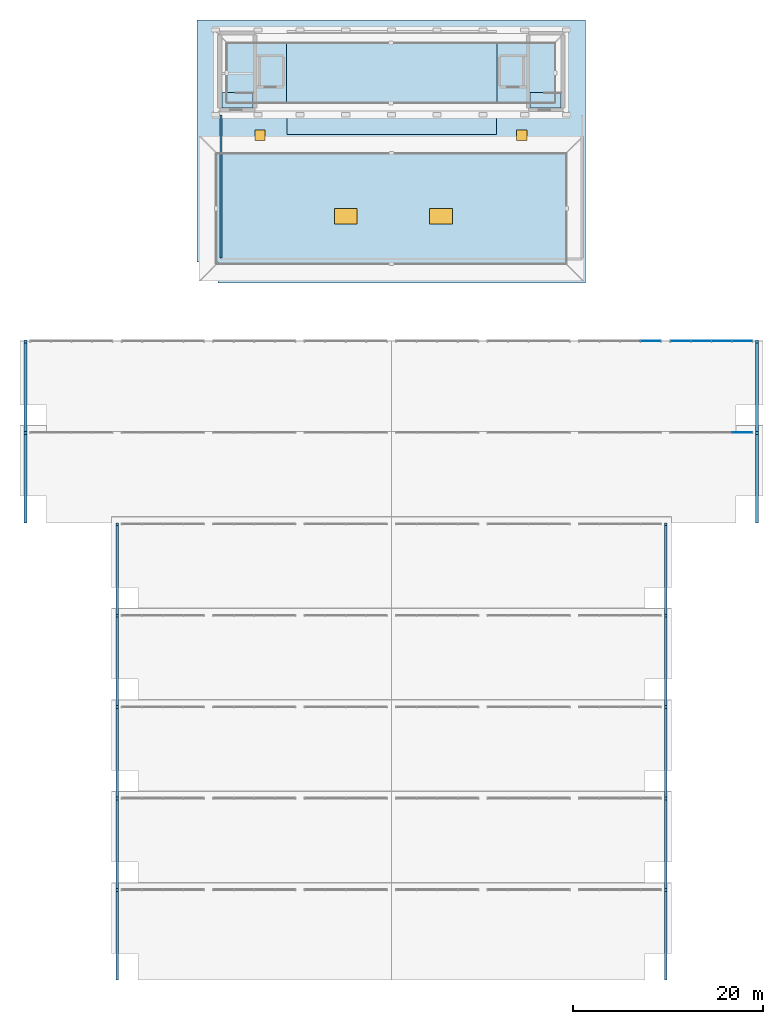
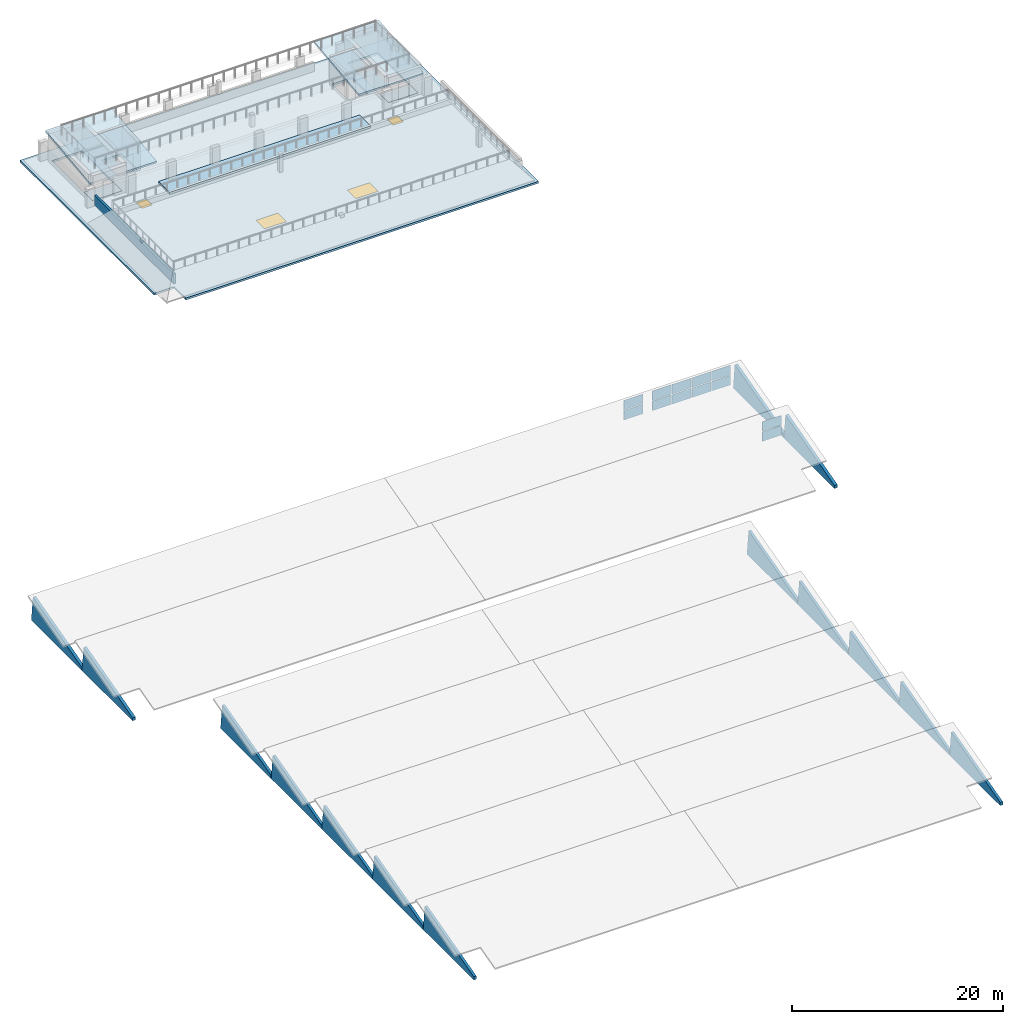
"""IFC4 building model written with IfcOpenShell, lengths in metres."""

from ifc_helpers import new_model, si_unit, direction, frame, frame_2d, origin, origin_2d, place, context, subcontext, project, spatial, polyline, rectangle, outline, extrude, material, layer, layer_set, type_object, element, fill, aggregate, save


model = new_model("IFC4")

# Units and contexts
model_context = context("Model", 3, precision=1e-05, world=origin(), true_north=direction((0.0, 1.0)))
body_context = subcontext(model_context, "Body", "Model", "MODEL_VIEW")
ifc_project = project(units=[si_unit("LENGTHUNIT", "METRE"), si_unit("AREAUNIT", "SQUARE_METRE"), si_unit("VOLUMEUNIT", "CUBIC_METRE"), si_unit("PLANEANGLEUNIT", "RADIAN"), si_unit("MASSUNIT", "GRAM", prefix="KILO")], contexts=[model_context])

# Site, building, storey
site_placement = place(None, origin())
site = spatial("IfcSite", under=ifc_project, at=site_placement, CompositionType="ELEMENT")
building_placement = place(site_placement, origin())
building = spatial("IfcBuilding", under=site, at=building_placement, Name="Bempovik Park Faculty of Sciences", CompositionType="ELEMENT")
storey_1_placement = place(building_placement, frame((0.0, 0.0, 50.10009765625)))
storey_1 = spatial("IfcBuildingStorey", under=building, at=storey_1_placement, Name="Roof", CompositionType="ELEMENT", Elevation=50.10009765625)

# Curtain wall, plates
ifc_material_1 = material(Name="Tempered laminated low-E glass", Category="glass")
ifc_layer_1 = layer(ifc_material_1, 0.159912109375)
ifc_layer_set_1 = layer_set([ifc_layer_1], Name="Tempered laminated low-E glass")
curtain_wall_type_1 = type_object("IfcCurtainWallType", Name="CW-29 Curtain 6400x2550", PredefinedType="USERDEFINED", material=ifc_layer_set_1)
curtain_wall_1_placement = place(storey_1_placement, origin())
curtain_wall_1 = element("IfcCurtainWall", 1, at=curtain_wall_1_placement, inside=storey_1, type_object=curtain_wall_type_1, Name="V2 Atrium Sawtooth North-Light Clerestory Bay 1 (117.6-127.2)", ObjectType="NORTH LIGHT CLERESTORY", PredefinedType="USERDEFINED")
ifc_layer_2 = layer(ifc_material_1, 0.031982421875)
ifc_layer_set_2 = layer_set([ifc_layer_2], Name="Tempered laminated low-E glass")
plate_type = type_object("IfcPlateType", Name="CP-23 Curtain Panel 32mm", PredefinedType="CURTAIN_PANEL", material=ifc_layer_set_2)
plate_1_placement = place(storey_1_placement, frame((125.639892578125, 77.280029296875, -25.93017578125), z_axis=(0.0, 0.0, 1.0), x_axis=(1.0, 0.0, 0.0)))
plate_1 = element("IfcPlate", 2, at=plate_1_placement, type_object=plate_type, Name="CW-NL-V2-B1-1176 Panel 3-0", PredefinedType="CURTAIN_PANEL", context=body_context, shape_type="SweptSolid", body=[
    extrude(rectangle(XDim=2.080078125, YDim=0.035888671875, at=origin_2d()), origin(), (0.0, 0.0, 1.0), 1.09619140625),
])
plate_2_placement = place(storey_1_placement, frame((125.639892578125, 77.280029296875, -24.75390625), z_axis=(0.0, 0.0, 1.0), x_axis=(1.0, 0.0, 0.0)))
plate_2 = element("IfcPlate", 3, at=plate_2_placement, type_object=plate_type, Name="CW-NL-V2-B1-1176 Panel 3-1", PredefinedType="CURTAIN_PANEL", context=body_context, shape_type="SweptSolid", body=[
    extrude(rectangle(XDim=2.080078125, YDim=0.035888671875, at=origin_2d()), origin(), (0.0, 0.0, 1.0), 1.09619140625),
])
aggregate(curtain_wall_1, [plate_1, plate_2])

ifc_layer_3 = layer(ifc_material_1, 0.159912109375)
ifc_layer_set_3 = layer_set([ifc_layer_3], Name="Tempered laminated low-E glass")
curtain_wall_type_2 = type_object("IfcCurtainWallType", Name="CW-15 Curtain 8000x2550", PredefinedType="USERDEFINED", material=ifc_layer_set_3)
curtain_wall_2_placement = place(storey_1_placement, origin())
curtain_wall_2 = element("IfcCurtainWall", 4, at=curtain_wall_2_placement, inside=storey_1, type_object=curtain_wall_type_2, Name="V2 Atrium Sawtooth North-Light Clerestory Bay 2 (108.0-117.6)", ObjectType="NORTH LIGHT CLERESTORY", PredefinedType="USERDEFINED")
plate_3_placement = place(storey_1_placement, frame((116.0400390625, 86.8798828125, -25.93017578125), z_axis=(0.0, 0.0, 1.0), x_axis=(1.0, 0.0, 0.0)))
plate_3 = element("IfcPlate", 5, at=plate_3_placement, type_object=plate_type, Name="CW-NL-V2-B2-1080 Panel 3-0", PredefinedType="CURTAIN_PANEL", context=body_context, shape_type="SweptSolid", body=[
    extrude(rectangle(XDim=2.080078125, YDim=0.035888671875, at=origin_2d()), origin(), (0.0, 0.0, 1.0), 1.09619140625),
])
plate_4_placement = place(storey_1_placement, frame((116.0400390625, 86.8798828125, -24.75390625), z_axis=(0.0, 0.0, 1.0), x_axis=(1.0, 0.0, 0.0)))
plate_4 = element("IfcPlate", 6, at=plate_4_placement, type_object=plate_type, Name="CW-NL-V2-B2-1080 Panel 3-1", PredefinedType="CURTAIN_PANEL", context=body_context, shape_type="SweptSolid", body=[
    extrude(rectangle(XDim=2.080078125, YDim=0.035888671875, at=origin_2d()), origin(), (0.0, 0.0, 1.0), 1.09619140625),
])
aggregate(curtain_wall_2, [plate_3, plate_4])

curtain_wall_3_placement = place(storey_1_placement, origin())
curtain_wall_3 = element("IfcCurtainWall", 7, at=curtain_wall_3_placement, inside=storey_1, type_object=curtain_wall_type_1, Name="V2 Atrium Sawtooth North-Light Clerestory Bay 2 (117.6-127.2)", ObjectType="NORTH LIGHT CLERESTORY", PredefinedType="USERDEFINED")
plate_5_placement = place(storey_1_placement, frame((119.159912109375, 86.8798828125, -25.93017578125), z_axis=(0.0, 0.0, 1.0), x_axis=(1.0, 0.0, 0.0)))
plate_5 = element("IfcPlate", 8, at=plate_5_placement, type_object=plate_type, Name="CW-NL-V2-B2-1176 Panel 0-0", PredefinedType="CURTAIN_PANEL", context=body_context, shape_type="SweptSolid", body=[
    extrude(rectangle(XDim=2.080078125, YDim=0.035888671875, at=origin_2d()), origin(), (0.0, 0.0, 1.0), 1.09619140625),
])
plate_6_placement = place(storey_1_placement, frame((119.159912109375, 86.8798828125, -24.75390625), z_axis=(0.0, 0.0, 1.0), x_axis=(1.0, 0.0, 0.0)))
plate_6 = element("IfcPlate", 9, at=plate_6_placement, type_object=plate_type, Name="CW-NL-V2-B2-1176 Panel 0-1", PredefinedType="CURTAIN_PANEL", context=body_context, shape_type="SweptSolid", body=[
    extrude(rectangle(XDim=2.080078125, YDim=0.035888671875, at=origin_2d()), origin(), (0.0, 0.0, 1.0), 1.09619140625),
])
plate_7_placement = place(storey_1_placement, frame((121.320068359375, 86.8798828125, -25.93017578125), z_axis=(0.0, 0.0, 1.0), x_axis=(1.0, 0.0, 0.0)))
plate_7 = element("IfcPlate", 10, at=plate_7_placement, type_object=plate_type, Name="CW-NL-V2-B2-1176 Panel 1-0", PredefinedType="CURTAIN_PANEL", context=body_context, shape_type="SweptSolid", body=[
    extrude(rectangle(XDim=2.080078125, YDim=0.035888671875, at=origin_2d()), origin(), (0.0, 0.0, 1.0), 1.09619140625),
])
plate_8_placement = place(storey_1_placement, frame((121.320068359375, 86.8798828125, -24.75390625), z_axis=(0.0, 0.0, 1.0), x_axis=(1.0, 0.0, 0.0)))
plate_8 = element("IfcPlate", 11, at=plate_8_placement, type_object=plate_type, Name="CW-NL-V2-B2-1176 Panel 1-1", PredefinedType="CURTAIN_PANEL", context=body_context, shape_type="SweptSolid", body=[
    extrude(rectangle(XDim=2.080078125, YDim=0.035888671875, at=origin_2d()), origin(), (0.0, 0.0, 1.0), 1.09619140625),
])
plate_9_placement = place(storey_1_placement, frame((123.47998046875, 86.8798828125, -25.93017578125), z_axis=(0.0, 0.0, 1.0), x_axis=(1.0, 0.0, 0.0)))
plate_9 = element("IfcPlate", 12, at=plate_9_placement, type_object=plate_type, Name="CW-NL-V2-B2-1176 Panel 2-0", PredefinedType="CURTAIN_PANEL", context=body_context, shape_type="SweptSolid", body=[
    extrude(rectangle(XDim=2.080078125, YDim=0.035888671875, at=origin_2d()), origin(), (0.0, 0.0, 1.0), 1.09619140625),
])
plate_10_placement = place(storey_1_placement, frame((123.47998046875, 86.8798828125, -24.75390625), z_axis=(0.0, 0.0, 1.0), x_axis=(1.0, 0.0, 0.0)))
plate_10 = element("IfcPlate", 13, at=plate_10_placement, type_object=plate_type, Name="CW-NL-V2-B2-1176 Panel 2-1", PredefinedType="CURTAIN_PANEL", context=body_context, shape_type="SweptSolid", body=[
    extrude(rectangle(XDim=2.080078125, YDim=0.035888671875, at=origin_2d()), origin(), (0.0, 0.0, 1.0), 1.09619140625),
])
plate_11_placement = place(storey_1_placement, frame((125.639892578125, 86.8798828125, -25.93017578125), z_axis=(0.0, 0.0, 1.0), x_axis=(1.0, 0.0, 0.0)))
plate_11 = element("IfcPlate", 14, at=plate_11_placement, type_object=plate_type, Name="CW-NL-V2-B2-1176 Panel 3-0", PredefinedType="CURTAIN_PANEL", context=body_context, shape_type="SweptSolid", body=[
    extrude(rectangle(XDim=2.080078125, YDim=0.035888671875, at=origin_2d()), origin(), (0.0, 0.0, 1.0), 1.09619140625),
])
plate_12_placement = place(storey_1_placement, frame((125.639892578125, 86.8798828125, -24.75390625), z_axis=(0.0, 0.0, 1.0), x_axis=(1.0, 0.0, 0.0)))
plate_12 = element("IfcPlate", 15, at=plate_12_placement, type_object=plate_type, Name="CW-NL-V2-B2-1176 Panel 3-1", PredefinedType="CURTAIN_PANEL", context=body_context, shape_type="SweptSolid", body=[
    extrude(rectangle(XDim=2.080078125, YDim=0.035888671875, at=origin_2d()), origin(), (0.0, 0.0, 1.0), 1.09619140625),
])
aggregate(curtain_wall_3, [plate_5, plate_6, plate_7, plate_8, plate_9, plate_10, plate_11, plate_12])

# Slab
ifc_material_2 = material(Name="Concrete C35/45", Category="concrete")
ifc_layer_4 = layer(ifc_material_2, 0.239990234375)
ifc_layer_set_4 = layer_set([ifc_layer_4], Name="Concrete C35/45")
slab_type_1 = type_object("IfcSlabType", Name="S-27 Slab 240mm", PredefinedType="FLOOR", material=ifc_layer_set_4)
slab_1_placement = place(storey_1_placement, origin())
element("IfcSlab", 16, at=slab_1_placement, inside=storey_1, type_object=slab_type_1, Name="Roof Belvedere Access Open Deck Slab", PredefinedType="FLOOR", context=body_context, shape_type="SweptSolid", body=[
    extrude(outline(polyline([(77.85009765625, 108.60009765625), (99.85009765625, 108.60009765625), (99.85009765625, 110.699951171875), (77.85009765625, 110.699951171875), (77.85009765625, 108.60009765625)])), origin(), (0.0, 0.0, 1.0), 0.239990234375),
])

# Slab, openings, doors
ifc_layer_5 = layer(ifc_material_2, 0.219970703125)
ifc_layer_set_5 = layer_set([ifc_layer_5], Name="Concrete C35/45")
slab_type_2 = type_object("IfcSlabType", Name="S-38 Slab 220mm", PredefinedType="ROOF", material=ifc_layer_set_5)
slab_2_placement = place(storey_1_placement, frame((0.0, 0.0, -0.22021484375)))
slab_2 = element("IfcSlab", 17, at=slab_2_placement, inside=storey_1, type_object=slab_type_2, Name="Flat Concrete Roof Slab RF-V5-CROWN", PredefinedType="ROOF", context=body_context, shape_type="SweptSolid", body=[
    extrude(outline(polyline([(70.60009765625, 93.0), (109.199951171875, 93.0), (109.199951171875, 120.60009765625), (68.39990234375, 120.60009765625), (68.39990234375, 95.199951171875), (70.60009765625, 95.199951171875), (70.60009765625, 93.0)]), holes=[polyline([(71.0, 111.375), (74.25, 111.375), (74.25, 119.0), (71.0, 119.0), (71.0, 111.375)]), polyline([(103.375, 111.375), (106.625, 111.375), (106.625, 119.0), (103.375, 119.0), (103.375, 111.375)]), polyline([(75.10009765625, 113.699951171875), (77.300048828125, 113.699951171875), (77.300048828125, 116.699951171875), (75.10009765625, 116.699951171875), (75.10009765625, 113.699951171875)]), polyline([(100.300048828125, 113.699951171875), (102.5, 113.699951171875), (102.5, 116.699951171875), (100.300048828125, 116.699951171875), (100.300048828125, 113.699951171875)]), polyline([(74.489990234375, 107.989990234375), (75.510009765625, 107.989990234375), (75.510009765625, 109.010009765625), (74.489990234375, 109.010009765625), (74.489990234375, 107.989990234375)]), polyline([(101.989990234375, 107.989990234375), (103.010009765625, 107.989990234375), (103.010009765625, 109.010009765625), (101.989990234375, 109.010009765625), (101.989990234375, 107.989990234375)])]), origin(), (0.0, 0.0, 1.0), 0.22021484375),
])
opening_1_placement = place(slab_2_placement, frame((84.0, 100.0, -0.010009765625)))
opening_1 = element("IfcOpeningElement", 18, at=opening_1_placement, cuts=slab_2, Name="Opening WN-29", PredefinedType="OPENING", context=body_context, shape_type="SweptSolid", body=[
    extrude(rectangle(XDim=2.39990234375, YDim=1.60009765625, at=origin_2d()), origin(), (0.0, 0.0, 1.0), 0.240234375),
])
opening_2_placement = place(slab_2_placement, frame((94.0, 100.0, -0.010009765625)))
opening_2 = element("IfcOpeningElement", 19, at=opening_2_placement, cuts=slab_2, Name="Opening WN-29", PredefinedType="OPENING", context=body_context, shape_type="SweptSolid", body=[
    extrude(rectangle(XDim=2.39990234375, YDim=1.60009765625, at=origin_2d()), origin(), (0.0, 0.0, 1.0), 0.240234375),
])
opening_3_placement = place(slab_2_placement, frame((75.0, 108.5, -0.010009765625)))
opening_3 = element("IfcOpeningElement", 20, at=opening_3_placement, cuts=slab_2, Name="Opening RH-01", PredefinedType="OPENING", context=body_context, shape_type="SweptSolid", body=[
    extrude(rectangle(XDim=1.10009765625, YDim=1.10009765625, at=origin_2d()), origin(), (0.0, 0.0, 1.0), 0.240234375),
])
opening_4_placement = place(slab_2_placement, frame((102.5, 108.5, -0.010009765625)))
opening_4 = element("IfcOpeningElement", 21, at=opening_4_placement, cuts=slab_2, Name="Opening RH-01", PredefinedType="OPENING", context=body_context, shape_type="SweptSolid", body=[
    extrude(rectangle(XDim=1.10009765625, YDim=1.10009765625, at=origin_2d()), origin(), (0.0, 0.0, 1.0), 0.240234375),
])
ifc_material_3 = material(Name="Anodised aluminium", Category="aluminium")
door_type = type_object("IfcDoorType", Name="RH-01 Trapdoor 1100x1100", OperationType="NOTDEFINED", PredefinedType="TRAPDOOR", material=ifc_material_3)
door_1_placement = place(slab_2_placement, frame((75.0, 108.5, 0.170166015625)))
door_1 = element("IfcDoor", 22, at=door_1_placement, inside=storey_1, type_object=door_type, Name="Roof Maintenance Access Hatch RH-V5-01", OperationType="SWING_FIXED_LEFT", OverallHeight=1.10009765625, OverallWidth=1.10009765625, PredefinedType="TRAPDOOR", context=body_context, shape_type="SweptSolid", body=[
    extrude(rectangle(XDim=1.10009765625, YDim=1.10009765625, at=origin_2d()), origin(), (0.0, 0.0, 1.0), 0.050048828125),
])
fill(opening_3, door_1)
door_2_placement = place(slab_2_placement, frame((102.5, 108.5, 0.170166015625)))
door_2 = element("IfcDoor", 23, at=door_2_placement, inside=storey_1, type_object=door_type, Name="Roof Maintenance Access Hatch RH-V5-02", OperationType="SWING_FIXED_LEFT", OverallHeight=1.10009765625, OverallWidth=1.10009765625, PredefinedType="TRAPDOOR", context=body_context, shape_type="SweptSolid", body=[
    extrude(rectangle(XDim=1.10009765625, YDim=1.10009765625, at=origin_2d()), origin(), (0.0, 0.0, 1.0), 0.050048828125),
])
fill(opening_4, door_2)

# Storey
storey_2_placement = place(building_placement, frame((0.0, 0.0, 46.199951171875)))
storey_2 = spatial("IfcBuildingStorey", under=building, at=storey_2_placement, Name="L11", CompositionType="ELEMENT", Elevation=46.199951171875)

# Window
window_type = type_object("IfcWindowType", Name="WN-29 Skylight 2400x1600", PartitioningType="SINGLE_PANEL", PredefinedType="SKYLIGHT", material=ifc_material_1)
window_1_placement = place(slab_2_placement, frame((84.0, 100.0, 0.170166015625)))
window_1 = element("IfcWindow", 24, at=window_1_placement, inside=storey_2, type_object=window_type, Name="Roof Skylight SKY-V5-1", OverallHeight=1.60009765625, OverallWidth=2.39990234375, PartitioningType="SINGLE_PANEL", PredefinedType="SKYLIGHT", context=body_context, shape_type="SweptSolid", body=[
    extrude(rectangle(XDim=2.39990234375, YDim=1.60009765625, at=origin_2d()), origin(), (0.0, 0.0, 1.0), 0.050048828125),
])

fill(opening_1, window_1)

window_2_placement = place(slab_2_placement, frame((94.0, 100.0, 0.170166015625)))
window_2 = element("IfcWindow", 25, at=window_2_placement, inside=storey_2, type_object=window_type, Name="Roof Skylight SKY-V5-2", OverallHeight=1.60009765625, OverallWidth=2.39990234375, PartitioningType="SINGLE_PANEL", PredefinedType="SKYLIGHT", context=body_context, shape_type="SweptSolid", body=[
    extrude(rectangle(XDim=2.39990234375, YDim=1.60009765625, at=origin_2d()), origin(), (0.0, 0.0, 1.0), 0.050048828125),
])

fill(opening_2, window_2)

# Slabs
slab_3_placement = place(storey_1_placement, frame((70.5, 110.949951171875, 2.43994140625), z_axis=(0.0, -0.114933843057, 0.993373148278), x_axis=(1.0, 0.0, 0.0)))
element("IfcSlab", 26, at=slab_3_placement, inside=storey_1, type_object=slab_type_2, Name="Stair ST-1 Sloped Head-House Roof Slab", PredefinedType="ROOF", context=body_context, shape_type="SweptSolid", body=[
    extrude(outline(polyline([(0.0, 0.0), (7.300048828125, 0.0), (7.300048828125, 8.526474384581665), (0.0, 8.526474384581665), (0.0, 0.0)])), origin(), (0.0, 0.0, -1.0), 0.219970703125),
])
slab_4_placement = place(storey_1_placement, frame((99.89990234375, 110.949951171875, 2.43994140625), z_axis=(0.0, -0.114933843057, 0.993373148278), x_axis=(1.0, 0.0, 0.0)))
element("IfcSlab", 27, at=slab_4_placement, inside=storey_1, type_object=slab_type_2, Name="Stair ST-2 Sloped Head-House Roof Slab", PredefinedType="ROOF", context=body_context, shape_type="SweptSolid", body=[
    extrude(outline(polyline([(0.0, 0.0), (7.10009765625, 0.0), (7.10009765625, 8.526474384581665), (0.0, 8.526474384581665), (0.0, 0.0)])), origin(), (0.0, 0.0, -1.0), 0.219970703125),
])
ifc_layer_6 = layer(ifc_material_2, 0.199951171875)
ifc_layer_set_6 = layer_set([ifc_layer_6], Name="Concrete C35/45")
slab_type_3 = type_object("IfcSlabType", Name="S-41 Slab 200mm", PredefinedType="LANDING", material=ifc_layer_set_6)
slab_5_placement = place(storey_1_placement, frame((0.0, 0.0, -0.22021484375)))
element("IfcSlab", 28, at=slab_5_placement, inside=storey_1, type_object=slab_type_3, Name="Roof ST-1 Floor Landing Slab", PredefinedType="LANDING", context=body_context, shape_type="SweptSolid", body=[
    extrude(outline(polyline([(74.25, 111.375), (74.25, 113.0), (71.0, 113.0), (71.0, 111.375), (74.25, 111.375)])), origin(), (0.0, 0.0, 1.0), 0.22021484375),
])
slab_6_placement = place(storey_1_placement, frame((0.0, 0.0, -0.22021484375)))
element("IfcSlab", 29, at=slab_6_placement, inside=storey_1, type_object=slab_type_3, Name="Roof ST-2 Floor Landing Slab", PredefinedType="LANDING", context=body_context, shape_type="SweptSolid", body=[
    extrude(outline(polyline([(106.625, 111.375), (106.625, 113.0), (103.375, 113.0), (103.375, 111.375), (106.625, 111.375)])), origin(), (0.0, 0.0, 1.0), 0.22021484375),
])

# Walls
ifc_material_4 = material(Name="Precast concrete C40/50", Category="concrete")
ifc_layer_7 = layer(ifc_material_4, 0.280029296875)
ifc_layer_set_7 = layer_set([ifc_layer_7], Name="Precast concrete C40/50")
wall_type_1 = type_object("IfcWallType", Name="W-25 Wall 280mm", PredefinedType="SOLIDWALL", material=ifc_layer_set_7)
for number, where, z_axis, x_axis, name in (
    (30, (60.0, 19.800048828125, -30.72412109375), (0.0, 0.0, 1.0), (0.0, 1.0, 0.0), "V1 Sawtooth Gable Wall B1-W"),
    (31, (117.60009765625, 19.800048828125, -30.72412109375), (0.0, 0.0, 1.0), (0.0, 1.0, 0.0), "V1 Sawtooth Gable Wall B1-E"),
):
    element("IfcWall", number, at=place(storey_1_placement, frame(where, z_axis=z_axis, x_axis=x_axis)), inside=storey_1, type_object=wall_type_1, Name=name, PredefinedType="SOLIDWALL", context=body_context, shape_type="SweptSolid", body=[
        extrude(outline(polyline([(0.0, 0.0), (9.599853515625, 0.0), (9.300048828125, 2.876220703125), (0.0, 0.3740234375), (0.0, 0.0)])), frame((0.0, 0.14013671875, 0.0), z_axis=(0.0, -1.0, 0.0), x_axis=(1.0, 0.0, 0.0)), (0.0, 0.0, 1.0), 0.280029296875),
    ])
for number, where, z_axis, x_axis, name in (
    (32, (60.0, 29.39990234375, -30.72412109375), (0.0, 0.0, 1.0), (0.0, 1.0, 0.0), "V1 Sawtooth Gable Wall B2-W"),
    (33, (117.60009765625, 29.39990234375, -30.72412109375), (0.0, 0.0, 1.0), (0.0, 1.0, 0.0), "V1 Sawtooth Gable Wall B2-E"),
    (34, (60.0, 39.0, -30.72412109375), (0.0, 0.0, 1.0), (0.0, 1.0, 0.0), "V1 Sawtooth Gable Wall B3-W"),
    (35, (117.60009765625, 39.0, -30.72412109375), (0.0, 0.0, 1.0), (0.0, 1.0, 0.0), "V1 Sawtooth Gable Wall B3-E"),
):
    element("IfcWall", number, at=place(storey_1_placement, frame(where, z_axis=z_axis, x_axis=x_axis)), inside=storey_1, type_object=wall_type_1, Name=name, PredefinedType="SOLIDWALL", context=body_context, shape_type="SweptSolid", body=[
        extrude(outline(polyline([(0.0, 0.0), (9.60009765625, 0.0), (9.300048828125, 2.876220703125), (0.0, 0.3740234375), (0.0, 0.0)])), frame((0.0, 0.14013671875, 0.0), z_axis=(0.0, -1.0, 0.0), x_axis=(1.0, 0.0, 0.0)), (0.0, 0.0, 1.0), 0.280029296875),
    ])
for number, where, z_axis, x_axis, name in (
    (36, (60.0, 48.60009765625, -30.72412109375), (0.0, 0.0, 1.0), (0.0, 1.0, 0.0), "V1 Sawtooth Gable Wall B4-W"),
    (37, (117.60009765625, 48.60009765625, -30.72412109375), (0.0, 0.0, 1.0), (0.0, 1.0, 0.0), "V1 Sawtooth Gable Wall B4-E"),
):
    element("IfcWall", number, at=place(storey_1_placement, frame(where, z_axis=z_axis, x_axis=x_axis)), inside=storey_1, type_object=wall_type_1, Name=name, PredefinedType="SOLIDWALL", context=body_context, shape_type="SweptSolid", body=[
        extrude(outline(polyline([(0.0, 0.0), (9.599853515625, 0.0), (9.300048828125, 2.876220703125), (0.0, 0.3740234375), (0.0, 0.0)])), frame((0.0, 0.14013671875, 0.0), z_axis=(0.0, -1.0, 0.0), x_axis=(1.0, 0.0, 0.0)), (0.0, 0.0, 1.0), 0.280029296875),
    ])
for number, where, z_axis, x_axis, name in (
    (38, (60.0, 58.199951171875, -30.72412109375), (0.0, 0.0, 1.0), (0.0, 1.0, 0.0), "V1 Sawtooth Gable Wall B5-W"),
    (39, (117.60009765625, 58.199951171875, -30.72412109375), (0.0, 0.0, 1.0), (0.0, 1.0, 0.0), "V1 Sawtooth Gable Wall B5-E"),
):
    element("IfcWall", number, at=place(storey_1_placement, frame(where, z_axis=z_axis, x_axis=x_axis)), inside=storey_1, type_object=wall_type_1, Name=name, PredefinedType="SOLIDWALL", context=body_context, shape_type="SweptSolid", body=[
        extrude(outline(polyline([(0.0, 0.0), (9.60009765625, 0.0), (9.300048828125, 2.876220703125), (0.0, 0.3740234375), (0.0, 0.0)])), frame((0.0, 0.14013671875, 0.0), z_axis=(0.0, -1.0, 0.0), x_axis=(1.0, 0.0, 0.0)), (0.0, 0.0, 1.0), 0.280029296875),
    ])
ifc_layer_8 = layer(ifc_material_4, 0.239990234375)
ifc_layer_set_8 = layer_set([ifc_layer_8], Name="Precast concrete C40/50")
wall_type_2 = type_object("IfcWallType", Name="W-36 Wall 240mm", PredefinedType="PARAPET", material=ifc_layer_set_8)
wall_placement = place(storey_1_placement, frame((70.89990234375, 110.6298828125, 0.0), z_axis=(0.0, 0.0, 1.0), x_axis=(0.0, -1.0, 0.0)))
element("IfcWall", 40, at=wall_placement, inside=storey_1, type_object=wall_type_2, Name="Roof Parapet PR-V5-W", PredefinedType="PARAPET", context=body_context, shape_type="SweptSolid", body=[
    extrude(rectangle(XDim=15.009765625, YDim=0.239990234375, at=frame_2d((7.5048828125, 0.0))), origin(), (0.0, 0.0, 1.0), 1.14990234375),
])
ifc_layer_9 = layer(ifc_material_4, 0.320068359375)
ifc_layer_set_9 = layer_set([ifc_layer_9], Name="Precast concrete C40/50")
wall_type_3 = type_object("IfcWallType", Name="W-56 Wall 320mm", PredefinedType="SOLIDWALL", material=ifc_layer_set_9)
for number, where, z_axis, x_axis, name in (
    (41, (50.39990234375, 67.800048828125, -26.494140625), (0.0, 0.0, 1.0), (0.0, 1.0, 0.0), "V2 Sawtooth Gable Wall B1-W"),
    (42, (127.199951171875, 67.800048828125, -26.494140625), (0.0, 0.0, 1.0), (0.0, 1.0, 0.0), "V2 Sawtooth Gable Wall B1-E"),
):
    element("IfcWall", number, at=place(storey_1_placement, frame(where, z_axis=z_axis, x_axis=x_axis)), inside=storey_1, type_object=wall_type_3, Name=name, PredefinedType="SOLIDWALL", context=body_context, shape_type="SweptSolid", body=[
        extrude(outline(polyline([(0.0, 0.0), (9.599853515625, 0.0), (9.300048828125, 2.87646484375), (0.0, 0.343994140625), (0.0, 0.0)])), frame((0.0, 0.16015625, 0.0), z_axis=(0.0, -1.0, 0.0), x_axis=(1.0, 0.0, 0.0)), (0.0, 0.0, 1.0), 0.320068359375),
    ])
for number, where, z_axis, x_axis, name in (
    (43, (50.39990234375, 77.39990234375, -26.494140625), (0.0, 0.0, 1.0), (0.0, 1.0, 0.0), "V2 Sawtooth Gable Wall B2-W"),
    (44, (127.199951171875, 77.39990234375, -26.494140625), (0.0, 0.0, 1.0), (0.0, 1.0, 0.0), "V2 Sawtooth Gable Wall B2-E"),
):
    element("IfcWall", number, at=place(storey_1_placement, frame(where, z_axis=z_axis, x_axis=x_axis)), inside=storey_1, type_object=wall_type_3, Name=name, PredefinedType="SOLIDWALL", context=body_context, shape_type="SweptSolid", body=[
        extrude(outline(polyline([(0.0, 0.0), (9.60009765625, 0.0), (9.300048828125, 2.87646484375), (0.0, 0.343994140625), (0.0, 0.0)])), frame((0.0, 0.16015625, 0.0), z_axis=(0.0, -1.0, 0.0), x_axis=(1.0, 0.0, 0.0)), (0.0, 0.0, 1.0), 0.320068359375),
    ])

save(model, "model.ifc")
